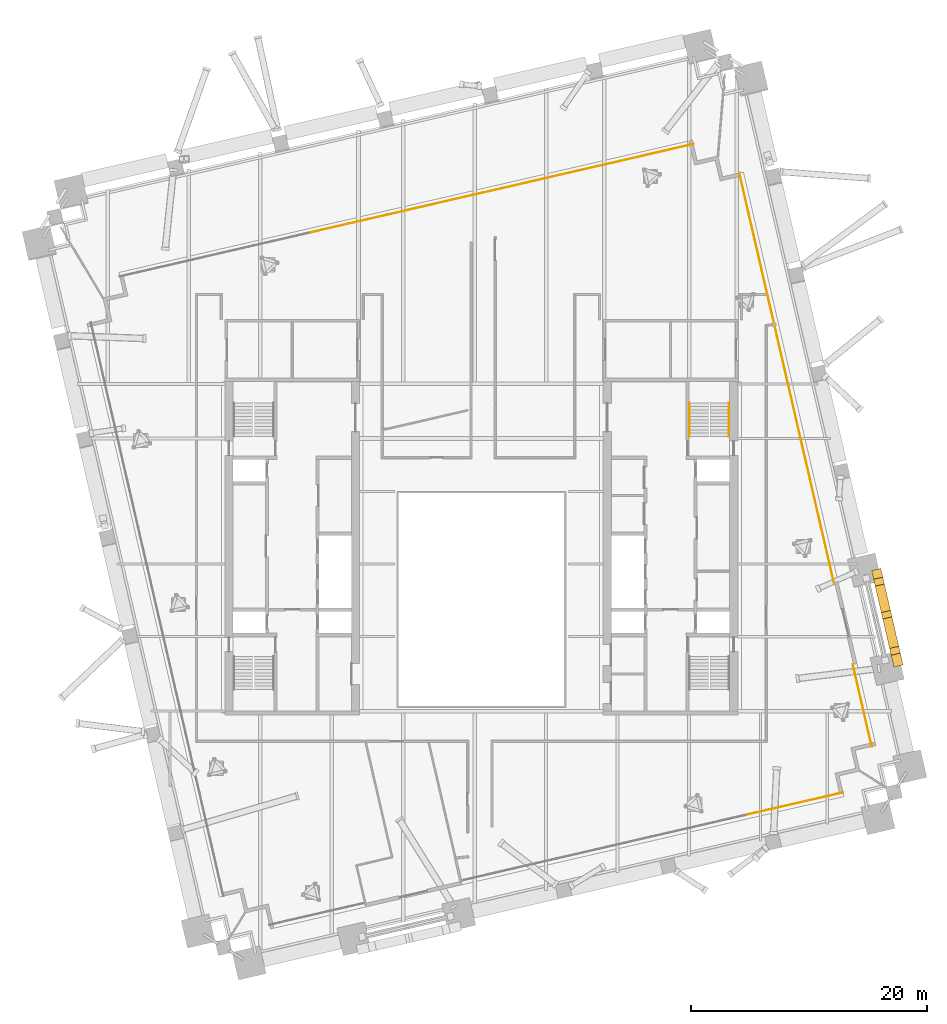
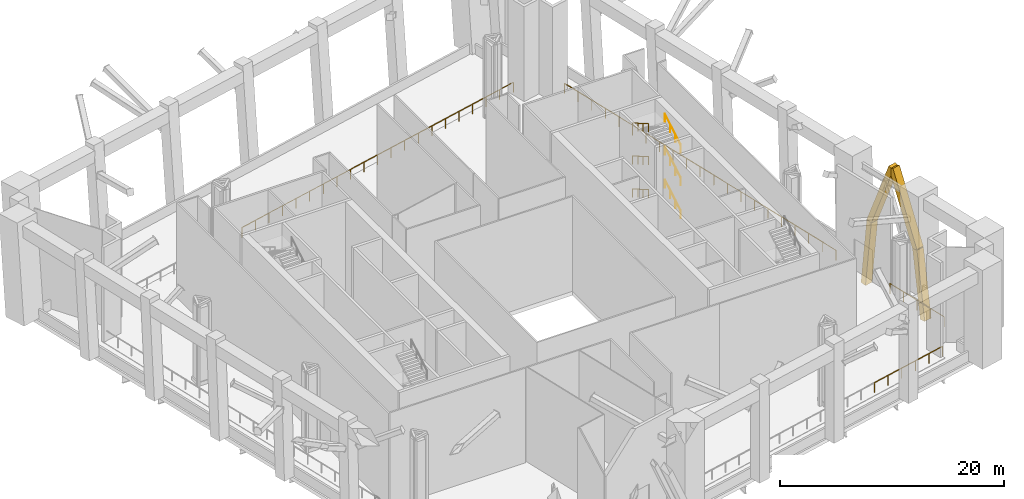
# One storey, part 25 of 25: 17 railings, 4 coverings.
"""IFC4 building model written with IfcOpenShell, lengths in metres."""

import ifcopenshell
import ifcopenshell.guid

model = None  # the IFC model being written
_history = None  # IfcOwnerHistory: only IFC2X3 demands one
_inside = {}  # id of a spatial element -> (the spatial element, [elements in it])
_under = {}  # id of a project, library or spatial element -> (it, [spatial elements below it])
_declared = {}  # id of a project -> (the project, [libraries it declares])
_typed = {}  # id of a type object -> (the type object, [elements of that type])
_made_of = {}  # id of a material, layer set ... -> (it, [elements and type objects made of it])


def new_model(schema):
    """Start an empty IFC model of exactly this schema.

    Asked for "IFC4X3", IfcOpenShell would pick the latest addendum, in which some entities
    have other attributes; the version numbers below select the first issue.
    IFC2X3 requires an IfcOwnerHistory on every rooted entity: one is made here for all.
    """
    global model, _history
    if schema == "IFC4X3":
        model = ifcopenshell.file(schema_version=(4, 3, 0, 0))
    else:
        model = ifcopenshell.file(schema=schema)
    _inside.clear()
    _under.clear()
    _declared.clear()
    _typed.clear()
    _made_of.clear()
    _history = None
    if model.schema == "IFC2X3":
        org = make("IfcOrganization", Name="unknown")
        user = make(
            "IfcPersonAndOrganization",
            ThePerson=make("IfcPerson", FamilyName="unknown"),
            TheOrganization=org,
        )
        app = make(
            "IfcApplication",
            ApplicationDeveloper=org,
            Version="unknown",
            ApplicationFullName="unknown",
            ApplicationIdentifier="unknown",
        )
        _history = make(
            "IfcOwnerHistory",
            OwningUser=user,
            OwningApplication=app,
            ChangeAction="ADDED",
            CreationDate=0,
        )
    return model


def make(cls, **values):
    """One entity of the class cls with the attributes given. An attribute that is None is left unset."""
    return model.create_entity(
        cls, **{name: value for name, value in values.items() if value is not None}
    )


def rooted(cls, **values):
    """An entity with a GlobalId (a new one), such as an element, a storey or a relation."""
    return make(cls, GlobalId=ifcopenshell.guid.new(), OwnerHistory=_history, **values)


def si_unit(unit_type, name, prefix=None):
    """IfcSIUnit, for example si_unit("LENGTHUNIT", "METRE", prefix="MILLI")."""
    return make("IfcSIUnit", UnitType=unit_type, Prefix=prefix, Name=name)


def assignment(units):
    """IfcUnitAssignment: the units of a project."""
    return None if units is None else make("IfcUnitAssignment", Units=units)


def point(xyz):
    """IfcCartesianPoint."""
    return None if xyz is None else make("IfcCartesianPoint", Coordinates=xyz)


def direction(xyz):
    """IfcDirection."""
    return None if xyz is None else make("IfcDirection", DirectionRatios=xyz)


def frame(location, z_axis=None, x_axis=None):
    """IfcAxis2Placement3D, a coordinate frame: its origin and axes. An axis left out is left unset."""
    return make(
        "IfcAxis2Placement3D",
        Location=point(location),
        Axis=direction(z_axis),
        RefDirection=direction(x_axis),
    )


def frame_2d(location, x_axis=None):
    """IfcAxis2Placement2D, a coordinate frame in the plane: its origin and x axis."""
    return make(
        "IfcAxis2Placement2D", Location=point(location), RefDirection=direction(x_axis)
    )


def origin():
    """The frame at (0, 0, 0) with its axes left unset."""
    return frame((0.0, 0.0, 0.0))


def origin_2d():
    """The frame at (0, 0) in the plane with its x axis left unset."""
    return frame_2d((0.0, 0.0))


def place(relative_to, where):
    """IfcLocalPlacement: puts the frame where relative to a parent placement (None: the world)."""
    return make(
        "IfcLocalPlacement", PlacementRelTo=relative_to, RelativePlacement=where
    )


def context(
    kind, dimensions, precision=None, world=None, true_north=None, identifier=None
):
    """IfcGeometricRepresentationContext, for example the 3D "Model" context."""
    return make(
        "IfcGeometricRepresentationContext",
        ContextIdentifier=identifier,
        ContextType=kind,
        CoordinateSpaceDimension=dimensions,
        Precision=precision,
        WorldCoordinateSystem=world,
        TrueNorth=true_north,
    )


def subcontext(parent, identifier, kind, view, scale=None):
    """IfcGeometricRepresentationSubContext, for example "Body" below "Model"."""
    return make(
        "IfcGeometricRepresentationSubContext",
        ContextIdentifier=identifier,
        ContextType=kind,
        ParentContext=parent,
        TargetScale=scale,
        TargetView=view,
    )


def project(units=None, contexts=None):
    """IfcProject with its units and contexts."""
    return rooted(
        "IfcProject",
        Name="project",
        RepresentationContexts=contexts,
        UnitsInContext=assignment(units),
    )


def spatial(cls, under=None, at=None, **own):
    """A site, building, storey or space (cls), placed at a placement, below another one or the project."""
    s = rooted(cls, ObjectPlacement=at, **own)
    if under is not None:
        _under.setdefault(under.id(), (under, []))[1].append(s)
    return s


def profile(cls, at=None, kind="AREA", **sizes):
    """A parametric profile (cls). Its sizes go by their IFC names, for example OverallWidth=200.0."""
    return make(cls, ProfileType=kind, Position=at, **sizes)


def rectangle(**sizes):
    """IfcRectangleProfileDef."""
    return profile("IfcRectangleProfileDef", **sizes)


def circle(**sizes):
    """IfcCircleProfileDef."""
    return profile("IfcCircleProfileDef", **sizes)


def extrude(swept, where, along, depth):
    """IfcExtrudedAreaSolid: the profile swept, set in the frame where, extruded along a direction by depth."""
    return make(
        "IfcExtrudedAreaSolid",
        SweptArea=swept,
        Position=where,
        ExtrudedDirection=direction(along),
        Depth=depth,
    )


def shape(context_of_items, identifier, shape_type, items):
    """IfcShapeRepresentation: the items that make up one representation, for example the "Body"."""
    return make(
        "IfcShapeRepresentation",
        ContextOfItems=context_of_items,
        RepresentationIdentifier=identifier,
        RepresentationType=shape_type,
        Items=items,
    )


def material(Name=None, Category=None):
    """IfcMaterial."""
    return make("IfcMaterial", Name=Name, Category=Category)


def material_profile(
    of_material, cross_section, Name=None, Category=None, Priority=None
):
    """IfcMaterialProfile: a cross section and its material."""
    return make(
        "IfcMaterialProfile",
        Name=Name,
        Material=of_material,
        Profile=cross_section,
        Priority=Priority,
        Category=Category,
    )


def profile_set(profiles, Name=None, composite=None):
    """IfcMaterialProfileSet."""
    return make(
        "IfcMaterialProfileSet",
        Name=Name,
        MaterialProfiles=profiles,
        CompositeProfile=composite,
    )


def made_of(thing, what):
    """Note that an element or type object is made of a material, layer set ...; save() writes the relation."""
    if what is not None:
        _made_of.setdefault(what.id(), (what, []))[1].append(thing)
    return thing


def type_object(cls, material=None, **own):
    """A type object (cls), such as IfcWallType, which elements share."""
    return made_of(rooted(cls, **own), material)


def element(
    cls,
    number,
    at=None,
    inside=None,
    cuts=None,
    type_object=None,
    material=None,
    context=None,
    identifier="Body",
    shape_type=None,
    held_by="IfcProductDefinitionShape",
    body=None,
    shapes=None,
    **own,
):
    """One element of the class cls, such as IfcWall. Its Tag is "e" and its number.

    at: its placement. inside: the storey or other place that contains it. cuts: it is an
    opening in that element (IfcRelVoidsElement). A single representation is given by context,
    identifier, shape_type and body (its items); several are given by shapes. held_by: the class
    of the entity that holds the representations. save() writes the other relations.
    """
    e = rooted(cls, Tag="e%d" % number, ObjectPlacement=at, **own)
    if body is not None:
        shapes = [shape(context, identifier, shape_type, body)]
    if shapes is not None:
        e.Representation = make(held_by, Representations=shapes)
    if inside is not None:
        _inside.setdefault(inside.id(), (inside, []))[1].append(e)
    if cuts is not None:
        rooted(
            "IfcRelVoidsElement", RelatingBuildingElement=cuts, RelatedOpeningElement=e
        )
    if type_object is not None:
        _typed.setdefault(type_object.id(), (type_object, []))[1].append(e)
    return made_of(e, material)


def aggregate(whole, parts):
    """IfcRelAggregates: a whole, such as a stair, and the parts it consists of."""
    return rooted("IfcRelAggregates", RelatingObject=whole, RelatedObjects=parts)


def save(model, path):
    """Write the relations noted so far, then the file.

    IfcRelAggregates (storeys below a building ...), IfcRelContainedInSpatialStructure (elements
    in a storey), IfcRelDefinesByType, IfcRelAssociatesMaterial and IfcRelDeclares: one each for
    every whole, place, type object, material and project.
    """
    for whole, parts in _under.values():
        aggregate(whole, parts)
    for where, things in _inside.values():
        rooted(
            "IfcRelContainedInSpatialStructure",
            RelatedElements=things,
            RelatingStructure=where,
        )
    for kind, things in _typed.values():
        rooted("IfcRelDefinesByType", RelatedObjects=things, RelatingType=kind)
    for what, things in _made_of.values():
        rooted("IfcRelAssociatesMaterial", RelatedObjects=things, RelatingMaterial=what)
    for by, libraries in _declared.values():
        rooted("IfcRelDeclares", RelatingContext=by, RelatedDefinitions=libraries)
    model.write(path)


model = new_model("IFC4")

# Units and contexts
model_context = context("Model", 3, precision=1e-05, world=origin(), true_north=direction((0.0, 1.0)))
body_context = subcontext(model_context, "Body", "Model", "MODEL_VIEW")
ifc_project = project(units=[si_unit("LENGTHUNIT", "METRE"), si_unit("AREAUNIT", "SQUARE_METRE"), si_unit("VOLUMEUNIT", "CUBIC_METRE"), si_unit("PLANEANGLEUNIT", "RADIAN"), si_unit("MASSUNIT", "GRAM", prefix="KILO")], contexts=[model_context])

# Site, building, storey
site_placement = place(None, origin())
site = spatial("IfcSite", under=ifc_project, at=site_placement, CompositionType="ELEMENT")
building_placement = place(site_placement, origin())
building = spatial("IfcBuilding", under=site, at=building_placement, Name="Ogive Exchange Tower", CompositionType="ELEMENT")
storey_placement = place(building_placement, frame((0.0, 0.0, 226.199951171875)))
storey = spatial("IfcBuildingStorey", under=building, at=storey_placement, Name="L50", CompositionType="ELEMENT", Elevation=226.199951171875)

# Railings
ifc_material_1 = material(Name="Stainless steel 316", Category="steel")
railing_type_1 = type_object("IfcRailingType", Name="Guard 1100 stainless steel and glass", PredefinedType="GUARDRAIL", material=ifc_material_1)
railing_1_placement = place(storey_placement, frame((22.5068359375, -11.1943359375, 0.0)))
element("IfcRailing", 1, at=railing_1_placement, inside=storey, type_object=railing_type_1, Name="Turbine band edge guard 5", PredefinedType="GUARDRAIL", context=body_context, shape_type="SweptSolid", body=[
    extrude(circle(Radius=0.02392578125, at=origin_2d()), frame((0.0, 0.0, 1.076171875), z_axis=(0.974368386566, 0.224958323385, 0.0), x_axis=(-0.224958323385, 0.974368386566, 0.0)), (0.0, 0.0, 1.0), 8.300048828125),
    extrude(circle(Radius=0.02099609375, at=origin_2d()), origin(), (0.0, 0.0, 1.0), 1.052001953125),
    extrude(circle(Radius=0.02099609375, at=origin_2d()), frame((1.617431640625, 0.37353515625, 0.0)), (0.0, 0.0, 1.0), 1.052001953125),
    extrude(circle(Radius=0.02099609375, at=origin_2d()), frame((3.23486328125, 0.746826171875, 0.0)), (0.0, 0.0, 1.0), 1.052001953125),
    extrude(circle(Radius=0.02099609375, at=origin_2d()), frame((4.8525390625, 1.120361328125, 0.0)), (0.0, 0.0, 1.0), 1.052001953125),
    extrude(circle(Radius=0.02099609375, at=origin_2d()), frame((6.469970703125, 1.49365234375, 0.0)), (0.0, 0.0, 1.0), 1.052001953125),
    extrude(circle(Radius=0.02099609375, at=origin_2d()), frame((8.08740234375, 1.8671875, 0.0)), (0.0, 0.0, 1.0), 1.052001953125),
])
for number, where, name in (
    (2, (33.02978515625, -5.429443359375, 0.0), "Turbine band edge guard 6"),
    (3, (29.8291015625, 8.4345703125, 0.0), "Turbine band edge guard 7"),
    (4, (28.228759765625, 15.366455078125, 0.0), "Turbine band edge guard 8"),
    (5, (26.62841796875, 22.29833984375, 0.0), "Turbine band edge guard 9"),
):
    element("IfcRailing", number, at=place(storey_placement, frame(where)), inside=storey, type_object=railing_type_1, Name=name, PredefinedType="GUARDRAIL", context=body_context, shape_type="SweptSolid", body=[
        extrude(circle(Radius=0.02392578125, at=origin_2d()), frame((0.0, 0.0, 1.076171875), z_axis=(-0.224949733175, 0.9743703698, 0.0), x_axis=(-0.9743703698, -0.224949733175, 0.0)), (0.0, 0.0, 1.0), 7.1142578125),
        extrude(circle(Radius=0.02099609375, at=origin_2d()), origin(), (0.0, 0.0, 1.0), 1.052001953125),
        extrude(circle(Radius=0.02099609375, at=origin_2d()), frame((-0.400146484375, 1.73291015625, 0.0)), (0.0, 0.0, 1.0), 1.052001953125),
        extrude(circle(Radius=0.02099609375, at=origin_2d()), frame((-0.80029296875, 3.4658203125, 0.0)), (0.0, 0.0, 1.0), 1.052001953125),
        extrude(circle(Radius=0.02099609375, at=origin_2d()), frame((-1.2001953125, 5.198974609375, 0.0)), (0.0, 0.0, 1.0), 1.052001953125),
        extrude(circle(Radius=0.02099609375, at=origin_2d()), frame((-1.600341796875, 6.931884765625, 0.0)), (0.0, 0.0, 1.0), 1.052001953125),
    ])
railing_2_placement = place(storey_placement, frame((25.028076171875, 29.230224609375, 0.0)))
element("IfcRailing", 6, at=railing_2_placement, inside=storey, type_object=railing_type_1, Name="Turbine band edge guard 10", PredefinedType="GUARDRAIL", context=body_context, shape_type="SweptSolid", body=[
    extrude(circle(Radius=0.02392578125, at=origin_2d()), frame((0.0, 0.0, 1.076171875), z_axis=(-0.224982313536, 0.974362847504, 0.0), x_axis=(-0.974362847504, -0.224982313536, 0.0)), (0.0, 0.0, 1.0), 7.1142578125),
    extrude(circle(Radius=0.02099609375, at=origin_2d()), origin(), (0.0, 0.0, 1.0), 1.052001953125),
    extrude(circle(Radius=0.02099609375, at=origin_2d()), frame((-0.400146484375, 1.73291015625, 0.0)), (0.0, 0.0, 1.0), 1.052001953125),
    extrude(circle(Radius=0.02099609375, at=origin_2d()), frame((-0.80029296875, 3.4658203125, 0.0)), (0.0, 0.0, 1.0), 1.052001953125),
    extrude(circle(Radius=0.02099609375, at=origin_2d()), frame((-1.200439453125, 5.198974609375, 0.0)), (0.0, 0.0, 1.0), 1.052001953125),
    extrude(circle(Radius=0.02099609375, at=origin_2d()), frame((-1.6005859375, 6.931884765625, 0.0)), (0.0, 0.0, 1.0), 1.052001953125),
])
railing_3_placement = place(storey_placement, frame((23.427490234375, 36.162109375, 0.0)))
element("IfcRailing", 7, at=railing_3_placement, inside=storey, type_object=railing_type_1, Name="Turbine band edge guard 11", PredefinedType="GUARDRAIL", context=body_context, shape_type="SweptSolid", body=[
    extrude(circle(Radius=0.02392578125, at=origin_2d()), frame((0.0, 0.0, 1.076171875), z_axis=(-0.22494221161, 0.974372106249, 0.0), x_axis=(-0.974372106249, -0.22494221161, 0.0)), (0.0, 0.0, 1.0), 7.114501953125),
    extrude(circle(Radius=0.02099609375, at=origin_2d()), origin(), (0.0, 0.0, 1.0), 1.052001953125),
    extrude(circle(Radius=0.02099609375, at=origin_2d()), frame((-0.400146484375, 1.73291015625, 0.0)), (0.0, 0.0, 1.0), 1.052001953125),
    extrude(circle(Radius=0.02099609375, at=origin_2d()), frame((-0.80029296875, 3.466064453125, 0.0)), (0.0, 0.0, 1.0), 1.052001953125),
    extrude(circle(Radius=0.02099609375, at=origin_2d()), frame((-1.2001953125, 5.19921875, 0.0)), (0.0, 0.0, 1.0), 1.052001953125),
    extrude(circle(Radius=0.02099609375, at=origin_2d()), frame((-1.600341796875, 6.93212890625, 0.0)), (0.0, 0.0, 1.0), 1.052001953125),
])
railing_4_placement = place(storey_placement, frame((17.929443359375, 45.52978515625, 0.0)))
element("IfcRailing", 8, at=railing_4_placement, inside=storey, type_object=railing_type_1, Name="Turbine band edge guard 12", PredefinedType="GUARDRAIL", context=body_context, shape_type="SweptSolid", body=[
    extrude(circle(Radius=0.02392578125, at=origin_2d()), frame((0.0, 0.0, 1.076171875), z_axis=(-0.97436689797, -0.224964770888, 0.0), x_axis=(0.224964770888, -0.97436689797, 0.0)), (0.0, 0.0, 1.0), 8.2998046875),
    extrude(circle(Radius=0.02099609375, at=origin_2d()), origin(), (0.0, 0.0, 1.0), 1.052001953125),
    extrude(circle(Radius=0.02099609375, at=origin_2d()), frame((-1.617431640625, -0.37353515625, 0.0)), (0.0, 0.0, 1.0), 1.052001953125),
    extrude(circle(Radius=0.02099609375, at=origin_2d()), frame((-3.23486328125, -0.746826171875, 0.0)), (0.0, 0.0, 1.0), 1.052001953125),
    extrude(circle(Radius=0.02099609375, at=origin_2d()), frame((-4.852294921875, -1.120361328125, 0.0)), (0.0, 0.0, 1.0), 1.052001953125),
    extrude(circle(Radius=0.02099609375, at=origin_2d()), frame((-6.4697265625, -1.49365234375, 0.0)), (0.0, 0.0, 1.0), 1.052001953125),
    extrude(circle(Radius=0.02099609375, at=origin_2d()), frame((-8.087158203125, -1.8671875, 0.0)), (0.0, 0.0, 1.0), 1.052001953125),
])
railing_5_placement = place(storey_placement, frame((9.84228515625, 43.66259765625, 0.0)))
element("IfcRailing", 9, at=railing_5_placement, inside=storey, type_object=railing_type_1, Name="Turbine band edge guard 13", PredefinedType="GUARDRAIL", context=body_context, shape_type="SweptSolid", body=[
    extrude(circle(Radius=0.02392578125, at=origin_2d()), frame((0.0, 0.0, 1.076171875), z_axis=(-0.974374833532, -0.224930397634, 0.0), x_axis=(0.224930397634, -0.974374833532, 0.0)), (0.0, 0.0, 1.0), 8.300048828125),
    extrude(circle(Radius=0.02099609375, at=origin_2d()), origin(), (0.0, 0.0, 1.0), 1.052001953125),
    extrude(circle(Radius=0.02099609375, at=origin_2d()), frame((-1.617431640625, -0.373291015625, 0.0)), (0.0, 0.0, 1.0), 1.052001953125),
    extrude(circle(Radius=0.02099609375, at=origin_2d()), frame((-3.23486328125, -0.746826171875, 0.0)), (0.0, 0.0, 1.0), 1.052001953125),
    extrude(circle(Radius=0.02099609375, at=origin_2d()), frame((-4.8525390625, -1.1201171875, 0.0)), (0.0, 0.0, 1.0), 1.052001953125),
    extrude(circle(Radius=0.02099609375, at=origin_2d()), frame((-6.469970703125, -1.49365234375, 0.0)), (0.0, 0.0, 1.0), 1.052001953125),
    extrude(circle(Radius=0.02099609375, at=origin_2d()), frame((-8.08740234375, -1.866943359375, 0.0)), (0.0, 0.0, 1.0), 1.052001953125),
])
railing_6_placement = place(storey_placement, frame((1.7548828125, 41.795654296875, 0.0)))
element("IfcRailing", 10, at=railing_6_placement, inside=storey, type_object=railing_type_1, Name="Turbine band edge guard 14", PredefinedType="GUARDRAIL", context=body_context, shape_type="SweptSolid", body=[
    extrude(circle(Radius=0.02392578125, at=origin_2d()), frame((0.0, 0.0, 1.076171875), z_axis=(-0.974368386566, -0.224958323385, 0.0), x_axis=(0.224958323385, -0.974368386566, 0.0)), (0.0, 0.0, 1.0), 8.300048828125),
    extrude(circle(Radius=0.02099609375, at=origin_2d()), origin(), (0.0, 0.0, 1.0), 1.052001953125),
    extrude(circle(Radius=0.02099609375, at=origin_2d()), frame((-1.617431640625, -0.37353515625, 0.0)), (0.0, 0.0, 1.0), 1.052001953125),
    extrude(circle(Radius=0.02099609375, at=origin_2d()), frame((-3.23486328125, -0.746826171875, 0.0)), (0.0, 0.0, 1.0), 1.052001953125),
    extrude(circle(Radius=0.02099609375, at=origin_2d()), frame((-4.8525390625, -1.120361328125, 0.0)), (0.0, 0.0, 1.0), 1.052001953125),
    extrude(circle(Radius=0.02099609375, at=origin_2d()), frame((-6.469970703125, -1.49365234375, 0.0)), (0.0, 0.0, 1.0), 1.052001953125),
    extrude(circle(Radius=0.02099609375, at=origin_2d()), frame((-8.08740234375, -1.8671875, 0.0)), (0.0, 0.0, 1.0), 1.052001953125),
])
railing_7_placement = place(storey_placement, frame((-6.33251953125, 39.928466796875, 0.0)))
element("IfcRailing", 11, at=railing_7_placement, inside=storey, type_object=railing_type_1, Name="Turbine band edge guard 15", PredefinedType="GUARDRAIL", context=body_context, shape_type="SweptSolid", body=[
    extrude(circle(Radius=0.02392578125, at=origin_2d()), frame((0.0, 0.0, 1.076171875), z_axis=(-0.97436689797, -0.224964770888, 0.0), x_axis=(0.224964770888, -0.97436689797, 0.0)), (0.0, 0.0, 1.0), 8.2998046875),
    extrude(circle(Radius=0.02099609375, at=origin_2d()), origin(), (0.0, 0.0, 1.0), 1.052001953125),
    extrude(circle(Radius=0.02099609375, at=origin_2d()), frame((-1.617431640625, -0.37353515625, 0.0)), (0.0, 0.0, 1.0), 1.052001953125),
    extrude(circle(Radius=0.02099609375, at=origin_2d()), frame((-3.23486328125, -0.746826171875, 0.0)), (0.0, 0.0, 1.0), 1.052001953125),
    extrude(circle(Radius=0.02099609375, at=origin_2d()), frame((-4.852294921875, -1.120361328125, 0.0)), (0.0, 0.0, 1.0), 1.052001953125),
    extrude(circle(Radius=0.02099609375, at=origin_2d()), frame((-6.4697265625, -1.49365234375, 0.0)), (0.0, 0.0, 1.0), 1.052001953125),
    extrude(circle(Radius=0.02099609375, at=origin_2d()), frame((-8.087158203125, -1.8671875, 0.0)), (0.0, 0.0, 1.0), 1.052001953125),
])

# Coverings
ifc_material_2 = material(Name="Precast concrete C50/60", Category="concrete")
ifc_material_profile = material_profile(ifc_material_2, rectangle(XDim=0.800048828125, YDim=0.60009765625, at=origin_2d()), Name="RIB 800 x 600")
ifc_profile_set = profile_set([ifc_material_profile], Name="Precast concrete C50/60")
covering_type = type_object("IfcCoveringType", Name="Precast tracery rib 800 x 600 C50/60", PredefinedType="CLADDING", material=ifc_profile_set)
covering_1_placement = place(storey_placement, frame((35.218017578125, 1.672119140625, -4.199951171875), z_axis=(-0.031279306947, 0.135621472658, 0.990266843387), x_axis=(-0.974419454433, -0.224737017029, 0.0)))
element("IfcCovering", 12, at=covering_1_placement, inside=storey, type_object=covering_type, Name="Tracery rib 10a", PredefinedType="CLADDING", context=body_context, shape_type="SweptSolid", body=[
    extrude(rectangle(XDim=0.800048828125, YDim=0.60009765625, at=origin_2d()), origin(), (0.0, 0.0, 1.0), 7.3212890625),
])
covering_2_placement = place(storey_placement, frame((34.989013671875, 2.6650390625, 3.050048828125), z_axis=(-0.089161748109, 0.386233605798, 0.918081578307), x_axis=(-0.974374104394, -0.224933556157, 0.0)))
element("IfcCovering", 13, at=covering_2_placement, inside=storey, type_object=covering_type, Name="Tracery rib 10a", PredefinedType="CLADDING", context=body_context, shape_type="SweptSolid", body=[
    extrude(rectangle(XDim=0.800048828125, YDim=0.60009765625, at=origin_2d()), origin(), (0.0, 0.0, 1.0), 7.89697265625),
])
covering_3_placement = place(storey_placement, frame((33.468994140625, 9.25, -4.199951171875), z_axis=(0.023310343472, -0.101379898979, 0.9945746548), x_axis=(0.974569953823, 0.224083477985, 0.0)))
element("IfcCovering", 14, at=covering_3_placement, inside=storey, type_object=covering_type, Name="Tracery rib 10b", PredefinedType="CLADDING", context=body_context, shape_type="SweptSolid", body=[
    extrude(rectangle(XDim=0.800048828125, YDim=0.60009765625, at=origin_2d()), origin(), (0.0, 0.0, 1.0), 7.28955078125),
])
covering_4_placement = place(storey_placement, frame((33.638916015625, 8.510986328125, 3.050048828125), z_axis=(0.082849391024, -0.358575671203, 0.92981689941), x_axis=(0.9743309359, 0.225120472965, 0.0)))
element("IfcCovering", 15, at=covering_4_placement, inside=storey, type_object=covering_type, Name="Tracery rib 10b", PredefinedType="CLADDING", context=body_context, shape_type="SweptSolid", body=[
    extrude(rectangle(XDim=0.800048828125, YDim=0.60009765625, at=origin_2d()), origin(), (0.0, 0.0, 1.0), 7.797119140625),
])

# Railings
ifc_material_3 = material(Name="Stainless steel", Category="steel")
railing_type_2 = type_object("IfcRailingType", Name="Stair handrail 900", PredefinedType="HANDRAIL", material=ifc_material_3)
railing_8_placement = place(storey_placement, frame((20.949951171875, 20.800048828125, 0.16357421875)))
element("IfcRailing", 16, at=railing_8_placement, inside=storey, type_object=railing_type_2, Name="L50 ST4 stair handrail 1", PredefinedType="HANDRAIL", context=body_context, shape_type="SweptSolid", body=[
    extrude(circle(Radius=0.02392578125, at=origin_2d()), frame((0.0, 0.0, 0.8759765625), z_axis=(0.0, 0.864143559488, 0.503245376129), x_axis=(-1.0, 0.0, 0.0)), (0.0, 0.0, 1.0), 3.251953125),
    extrude(circle(Radius=0.02099609375, at=origin_2d()), origin(), (0.0, 0.0, 1.0), 0.851806640625),
    extrude(circle(Radius=0.02099609375, at=origin_2d()), frame((0.0, 0.936767578125, 0.54541015625)), (0.0, 0.0, 1.0), 0.851806640625),
    extrude(circle(Radius=0.02099609375, at=origin_2d()), frame((0.0, 1.873291015625, 1.091064453125)), (0.0, 0.0, 1.0), 0.851806640625),
    extrude(circle(Radius=0.02099609375, at=origin_2d()), frame((0.0, 2.81005859375, 1.636474609375)), (0.0, 0.0, 1.0), 0.851806640625),
])
railing_9_placement = place(storey_placement, frame((17.60009765625, 23.610107421875, 1.963623046875)))
element("IfcRailing", 17, at=railing_9_placement, inside=storey, type_object=railing_type_2, Name="L50 ST4 stair handrail 2", PredefinedType="HANDRAIL", context=body_context, shape_type="SweptSolid", body=[
    extrude(circle(Radius=0.02392578125, at=origin_2d()), frame((0.0, 0.0, 0.8759765625), z_axis=(0.0, -0.864143559488, 0.503245376129), x_axis=(1.0, 0.0, 0.0)), (0.0, 0.0, 1.0), 3.251953125),
    extrude(circle(Radius=0.02099609375, at=origin_2d()), origin(), (0.0, 0.0, 1.0), 0.851806640625),
    extrude(circle(Radius=0.02099609375, at=origin_2d()), frame((0.0, -0.936767578125, 0.54541015625)), (0.0, 0.0, 1.0), 0.851806640625),
    extrude(circle(Radius=0.02099609375, at=origin_2d()), frame((0.0, -1.873291015625, 1.091064453125)), (0.0, 0.0, 1.0), 0.851806640625),
    extrude(circle(Radius=0.02099609375, at=origin_2d()), frame((0.0, -2.81005859375, 1.636474609375)), (0.0, 0.0, 1.0), 0.851806640625),
])
railing_10_placement = place(storey_placement, frame((20.949951171875, 20.800048828125, 3.763671875)))
element("IfcRailing", 18, at=railing_10_placement, inside=storey, type_object=railing_type_2, Name="L50 ST4 stair handrail 3", PredefinedType="HANDRAIL", context=body_context, shape_type="SweptSolid", body=[
    extrude(circle(Radius=0.02392578125, at=origin_2d()), frame((0.0, 0.0, 0.8759765625), z_axis=(0.0, 0.864143559488, 0.503245376129), x_axis=(-1.0, 0.0, 0.0)), (0.0, 0.0, 1.0), 3.251953125),
    extrude(circle(Radius=0.02099609375, at=origin_2d()), origin(), (0.0, 0.0, 1.0), 0.851806640625),
    extrude(circle(Radius=0.02099609375, at=origin_2d()), frame((0.0, 0.936767578125, 0.54541015625)), (0.0, 0.0, 1.0), 0.851806640625),
    extrude(circle(Radius=0.02099609375, at=origin_2d()), frame((0.0, 1.873291015625, 1.091064453125)), (0.0, 0.0, 1.0), 0.851806640625),
    extrude(circle(Radius=0.02099609375, at=origin_2d()), frame((0.0, 2.81005859375, 1.636474609375)), (0.0, 0.0, 1.0), 0.851806640625),
])
railing_11_placement = place(storey_placement, frame((17.60009765625, 23.610107421875, 5.563720703125)))
element("IfcRailing", 19, at=railing_11_placement, inside=storey, type_object=railing_type_2, Name="L50 ST4 stair handrail 4", PredefinedType="HANDRAIL", context=body_context, shape_type="SweptSolid", body=[
    extrude(circle(Radius=0.02392578125, at=origin_2d()), frame((0.0, 0.0, 0.8759765625), z_axis=(0.0, -0.864176208382, 0.503189309173), x_axis=(1.0, 0.0, 0.0)), (0.0, 0.0, 1.0), 3.251708984375),
    extrude(circle(Radius=0.02099609375, at=origin_2d()), origin(), (0.0, 0.0, 1.0), 0.851806640625),
    extrude(circle(Radius=0.02099609375, at=origin_2d()), frame((0.0, -0.936767578125, 0.54541015625)), (0.0, 0.0, 1.0), 0.851806640625),
    extrude(circle(Radius=0.02099609375, at=origin_2d()), frame((0.0, -1.873291015625, 1.0908203125)), (0.0, 0.0, 1.0), 0.851806640625),
    extrude(circle(Radius=0.02099609375, at=origin_2d()), frame((0.0, -2.81005859375, 1.63623046875)), (0.0, 0.0, 1.0), 0.851806640625),
])
railing_12_placement = place(storey_placement, frame((20.949951171875, 20.800048828125, 7.36376953125)))
element("IfcRailing", 20, at=railing_12_placement, inside=storey, type_object=railing_type_2, Name="L50 ST4 stair handrail 5", PredefinedType="HANDRAIL", context=body_context, shape_type="SweptSolid", body=[
    extrude(circle(Radius=0.02392578125, at=origin_2d()), frame((0.0, 0.0, 0.8759765625), z_axis=(0.0, 0.864176208382, 0.503189309173), x_axis=(-1.0, 0.0, 0.0)), (0.0, 0.0, 1.0), 3.251708984375),
    extrude(circle(Radius=0.02099609375, at=origin_2d()), origin(), (0.0, 0.0, 1.0), 0.851806640625),
    extrude(circle(Radius=0.02099609375, at=origin_2d()), frame((0.0, 0.936767578125, 0.54541015625)), (0.0, 0.0, 1.0), 0.851806640625),
    extrude(circle(Radius=0.02099609375, at=origin_2d()), frame((0.0, 1.873291015625, 1.0908203125)), (0.0, 0.0, 1.0), 0.851806640625),
    extrude(circle(Radius=0.02099609375, at=origin_2d()), frame((0.0, 2.81005859375, 1.63623046875)), (0.0, 0.0, 1.0), 0.851806640625),
])
railing_13_placement = place(storey_placement, frame((17.60009765625, 23.610107421875, 9.16357421875)))
element("IfcRailing", 21, at=railing_13_placement, inside=storey, type_object=railing_type_2, Name="L50 ST4 stair handrail 6", PredefinedType="HANDRAIL", context=body_context, shape_type="SweptSolid", body=[
    extrude(circle(Radius=0.02392578125, at=origin_2d()), frame((0.0, 0.0, 0.8759765625), z_axis=(0.0, -0.864143559488, 0.503245376129), x_axis=(1.0, 0.0, 0.0)), (0.0, 0.0, 1.0), 3.251953125),
    extrude(circle(Radius=0.02099609375, at=origin_2d()), origin(), (0.0, 0.0, 1.0), 0.851806640625),
    extrude(circle(Radius=0.02099609375, at=origin_2d()), frame((0.0, -0.936767578125, 0.54541015625)), (0.0, 0.0, 1.0), 0.851806640625),
    extrude(circle(Radius=0.02099609375, at=origin_2d()), frame((0.0, -1.873291015625, 1.091064453125)), (0.0, 0.0, 1.0), 0.851806640625),
    extrude(circle(Radius=0.02099609375, at=origin_2d()), frame((0.0, -2.81005859375, 1.636474609375)), (0.0, 0.0, 1.0), 0.851806640625),
])

save(model, "model.ifc")
